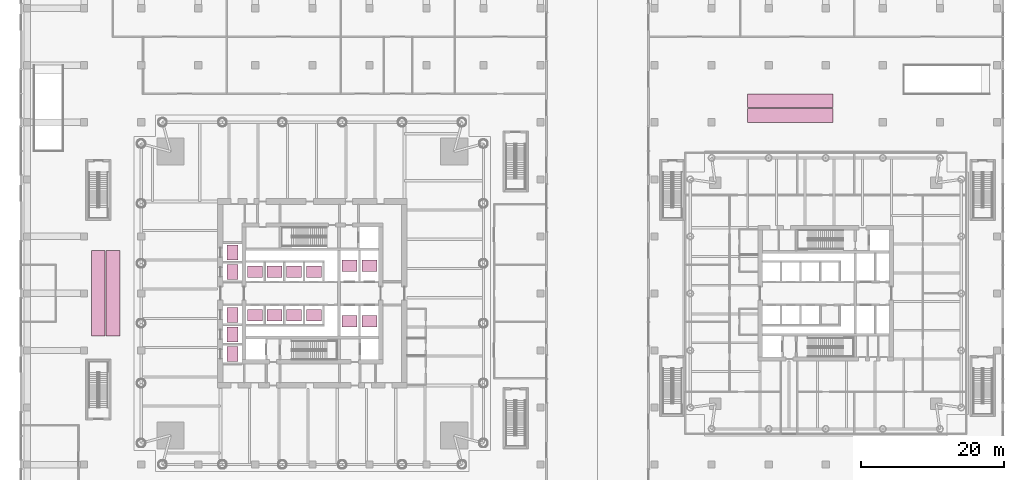
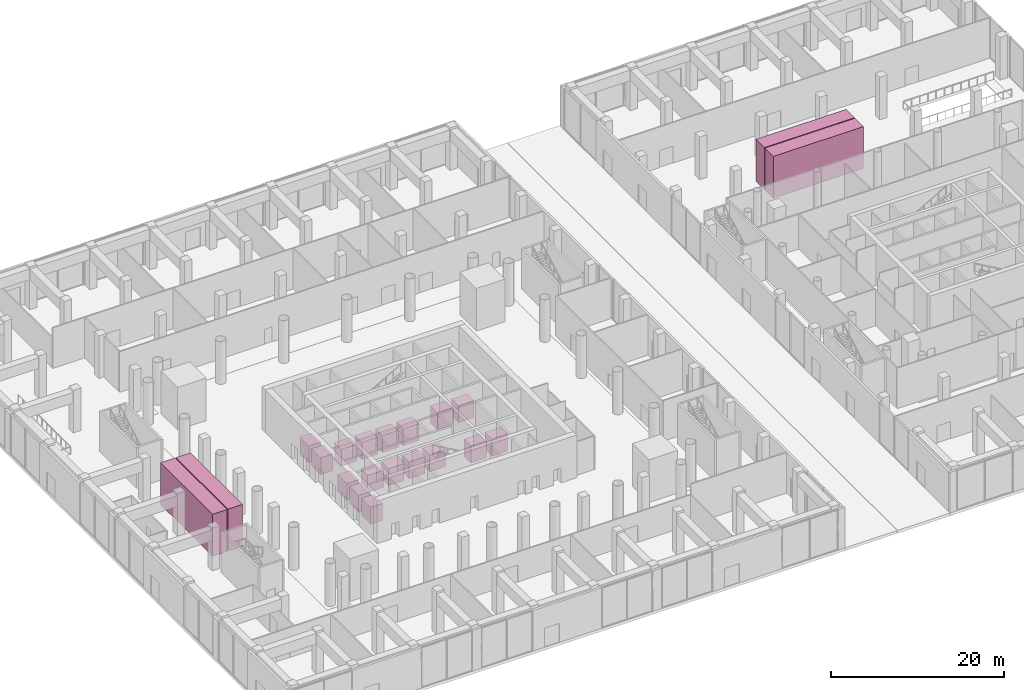
# One storey, part 39 of 39: 21 transport elements.
"""IFC4 building model written with IfcOpenShell, lengths in metres."""

from ifc_helpers import new_model, si_unit, direction, frame, origin, origin_2d, place, context, subcontext, project, spatial, rectangle, extrude, material, type_object, element, save


model = new_model("IFC4")

# Units and contexts
model_context = context("Model", 3, precision=1e-05, world=origin(), true_north=direction((0.0, 1.0)))
body_context = subcontext(model_context, "Body", "Model", "MODEL_VIEW")
ifc_project = project(units=[si_unit("LENGTHUNIT", "METRE"), si_unit("AREAUNIT", "SQUARE_METRE"), si_unit("VOLUMEUNIT", "CUBIC_METRE"), si_unit("PLANEANGLEUNIT", "RADIAN"), si_unit("MASSUNIT", "GRAM", prefix="KILO")], contexts=[model_context])

# Site, building, storey
site_placement = place(None, origin())
site = spatial("IfcSite", under=ifc_project, at=site_placement, CompositionType="ELEMENT")
building_placement = place(site_placement, origin())
building = spatial("IfcBuilding", under=site, at=building_placement, Name="Ostroluk Exchange", CompositionType="ELEMENT")
storey_placement = place(building_placement, origin())
storey = spatial("IfcBuildingStorey", under=building, at=storey_placement, Name="L00", CompositionType="ELEMENT", Elevation=0.0)

# Transport elements
ifc_material_1 = material(Name="Steel S355", Category="steel")
transport_element_type_1 = type_object("IfcTransportElementType", Name="Double-deck passenger lift 1600 kg", PredefinedType="ELEVATOR", material=ifc_material_1)
for number, where, z_axis, x_axis, name in (
    (1, (36.949951171875, 49.050048828125, 0.0), (0.0, 0.0, 1.0), (1.0, 0.0, 0.0), "Lift PL-L1"),
    (2, (39.699951171875, 49.050048828125, 0.0), (0.0, 0.0, 1.0), (1.0, 0.0, 0.0), "Lift PL-L2"),
    (3, (42.449951171875, 49.050048828125, 0.0), (0.0, 0.0, 1.0), (1.0, 0.0, 0.0), "Lift PL-L3"),
    (4, (45.199951171875, 49.050048828125, 0.0), (0.0, 0.0, 1.0), (1.0, 0.0, 0.0), "Lift PL-L4"),
    (5, (36.949951171875, 42.949951171875, 0.0), (0.0, 0.0, 1.0), (1.0, 0.0, 0.0), "Lift PL-L5"),
    (6, (39.699951171875, 42.949951171875, 0.0), (0.0, 0.0, 1.0), (1.0, 0.0, 0.0), "Lift PL-L6"),
    (7, (42.449951171875, 42.949951171875, 0.0), (0.0, 0.0, 1.0), (1.0, 0.0, 0.0), "Lift PL-L7"),
    (8, (45.199951171875, 42.949951171875, 0.0), (0.0, 0.0, 1.0), (1.0, 0.0, 0.0), "Lift PL-L8"),
):
    element("IfcTransportElement", number, at=place(storey_placement, frame(where, z_axis=z_axis, x_axis=x_axis)), inside=storey, type_object=transport_element_type_1, Name=name, PredefinedType="ELEVATOR", context=body_context, shape_type="SweptSolid", body=[
        extrude(rectangle(XDim=2.10009765625, YDim=1.60009765625, at=origin_2d()), origin(), (0.0, 0.0, 1.0), 2.39990234375),
    ])
ifc_material_2 = material(Name="Steel S355", Category="steel")
transport_element_type_2 = type_object("IfcTransportElementType", Name="Double-deck shuttle lift 1600 kg", PredefinedType="ELEVATOR", material=ifc_material_2)
for number, where, z_axis, x_axis, name in (
    (9, (50.2099609375, 49.875, 0.0), (0.0, 0.0, 1.0), (1.0, 0.0, 0.0), "Lift SX1"),
    (10, (53.02001953125, 49.875, 0.0), (0.0, 0.0, 1.0), (1.0, 0.0, 0.0), "Lift SX2"),
    (11, (50.2099609375, 42.125, 0.0), (0.0, 0.0, 1.0), (1.0, 0.0, 0.0), "Lift SX3"),
    (12, (53.02001953125, 42.125, 0.0), (0.0, 0.0, 1.0), (1.0, 0.0, 0.0), "Lift SX4"),
):
    element("IfcTransportElement", number, at=place(storey_placement, frame(where, z_axis=z_axis, x_axis=x_axis)), inside=storey, type_object=transport_element_type_2, Name=name, PredefinedType="ELEVATOR", context=body_context, shape_type="SweptSolid", body=[
        extrude(rectangle(XDim=2.10009765625, YDim=1.60009765625, at=origin_2d()), origin(), (0.0, 0.0, 1.0), 2.39990234375),
    ])
for number, where, z_axis, x_axis, name in (
    (13, (33.800048828125, 37.5, 0.0), (0.0, 0.0, 1.0), (1.0, 0.0, 0.0), "Lift SH1"),
    (14, (33.800048828125, 40.25, 0.0), (0.0, 0.0, 1.0), (1.0, 0.0, 0.0), "Lift SH2"),
    (15, (33.800048828125, 43.0, 0.0), (0.0, 0.0, 1.0), (1.0, 0.0, 0.0), "Lift SH3"),
    (16, (33.800048828125, 49.0, 0.0), (0.0, 0.0, 1.0), (1.0, 0.0, 0.0), "Lift SH4"),
    (17, (33.800048828125, 51.75, 0.0), (0.0, 0.0, 1.0), (1.0, 0.0, 0.0), "Lift SH5"),
):
    element("IfcTransportElement", number, at=place(storey_placement, frame(where, z_axis=z_axis, x_axis=x_axis)), inside=storey, type_object=transport_element_type_2, Name=name, PredefinedType="ELEVATOR", context=body_context, shape_type="SweptSolid", body=[
        extrude(rectangle(XDim=1.60009765625, YDim=2.10009765625, at=origin_2d()), origin(), (0.0, 0.0, 1.0), 2.39990234375),
    ])
ifc_material_3 = material(Name="Steel S355", Category="steel")
transport_element_type_3 = type_object("IfcTransportElementType", Name="Escalator 1000 step", PredefinedType="ESCALATOR", material=ifc_material_3)
for number, where, z_axis, x_axis, name in (
    (18, (14.97509765625, 46.0, 0.0), (0.0, 0.0, 1.0), (1.0, 0.0, 0.0), "Escalator ES2 up"),
    (19, (17.02490234375, 46.0, 0.0), (0.0, 0.0, 1.0), (1.0, 0.0, 0.0), "Escalator ES2 down"),
):
    element("IfcTransportElement", number, at=place(storey_placement, frame(where, z_axis=z_axis, x_axis=x_axis)), inside=storey, type_object=transport_element_type_3, Name=name, PredefinedType="ESCALATOR", context=body_context, shape_type="SweptSolid", body=[
        extrude(rectangle(XDim=1.949951171875, YDim=12.0, at=origin_2d()), origin(), (0.0, 0.0, 1.0), 5.89990234375),
    ])
for number, where, z_axis, x_axis, name in (
    (20, (112.0, 70.97509765625, 0.0), (0.0, 0.0, 1.0), (1.0, 0.0, 0.0), "Escalator ES5 up"),
    (21, (112.0, 73.02490234375, 0.0), (0.0, 0.0, 1.0), (1.0, 0.0, 0.0), "Escalator ES5 down"),
):
    element("IfcTransportElement", number, at=place(storey_placement, frame(where, z_axis=z_axis, x_axis=x_axis)), inside=storey, type_object=transport_element_type_3, Name=name, PredefinedType="ESCALATOR", context=body_context, shape_type="SweptSolid", body=[
        extrude(rectangle(XDim=12.0, YDim=1.949951171875, at=origin_2d()), origin(), (0.0, 0.0, 1.0), 5.89990234375),
    ])

save(model, "model.ifc")
